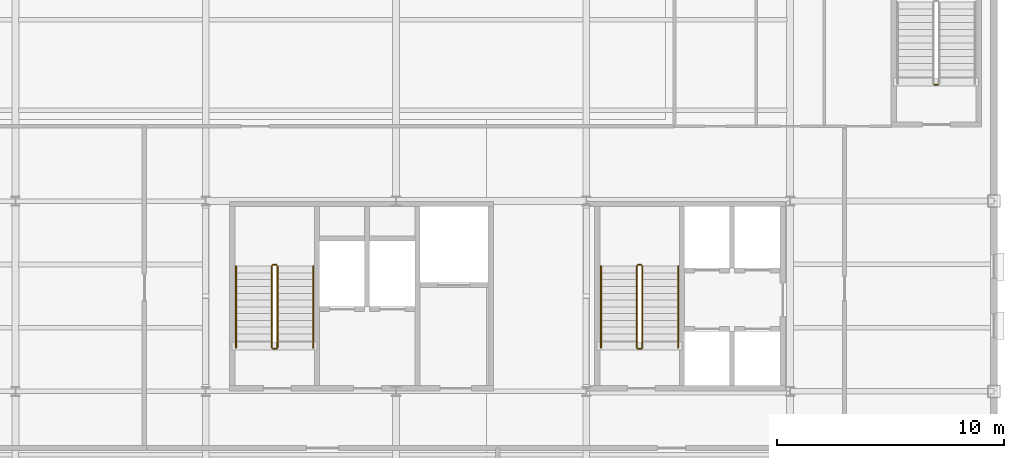
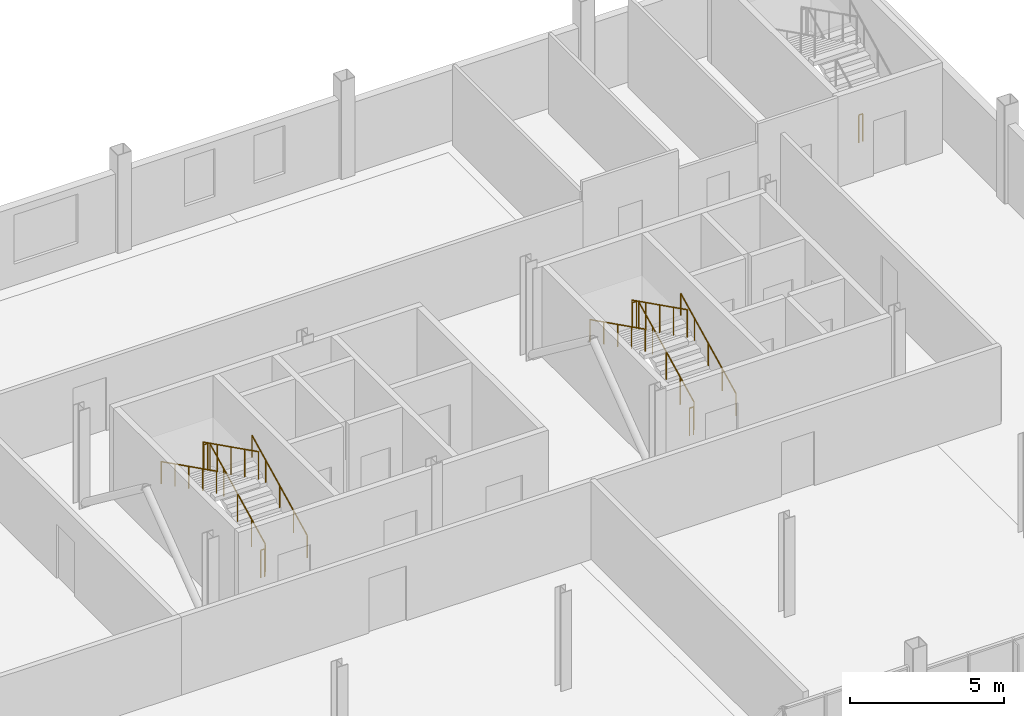
# One storey, part 15 of 17: 13 railings.
"""IFC4 building model written with IfcOpenShell, lengths in metres."""

from ifc_helpers import new_model, si_unit, direction, frame, origin, origin_2d, place, context, subcontext, project, spatial, circle, extrude, material, layer, layer_set, type_object, element, save


model = new_model("IFC4")

# Units and contexts
model_context = context("Model", 3, precision=1e-05, world=origin(), true_north=direction((0.0, 1.0)))
body_context = subcontext(model_context, "Body", "Model", "MODEL_VIEW")
ifc_project = project(units=[si_unit("LENGTHUNIT", "METRE"), si_unit("AREAUNIT", "SQUARE_METRE"), si_unit("VOLUMEUNIT", "CUBIC_METRE"), si_unit("PLANEANGLEUNIT", "RADIAN"), si_unit("MASSUNIT", "GRAM", prefix="KILO")], contexts=[model_context])

# Site, building, storey
site_placement = place(None, origin())
site = spatial("IfcSite", under=ifc_project, at=site_placement, CompositionType="ELEMENT")
building_placement = place(site_placement, origin())
building = spatial("IfcBuilding", under=site, at=building_placement, Name="Yukiwa Park Conservatory and Herbarium", CompositionType="ELEMENT")
storey_placement = place(building_placement, frame((0.0, 0.0, 17.10009765625)))
storey = spatial("IfcBuildingStorey", under=building, at=storey_placement, Name="L04", CompositionType="ELEMENT", Elevation=17.10009765625)

# Railings
ifc_material_1 = material(Name="Steel Q235B", Category="steel")
ifc_layer_1 = layer(ifc_material_1, 0.050048828125)
ifc_layer_set_1 = layer_set([ifc_layer_1], Name="Steel Q235B")
railing_type_1 = type_object("IfcRailingType", Name="RL-STAIR-GUARD-1120", PredefinedType="BALUSTRADE", material=ifc_layer_set_1)
railing_1_placement = place(storey_placement, frame((136.3701171875, 96.72998046875, 0.14990234375)))
element("IfcRailing", 1, at=railing_1_placement, inside=storey, type_object=railing_type_1, Name="L04 ST-T1 stair guard 1", PredefinedType="BALUSTRADE", context=body_context, shape_type="SweptSolid", body=[
    extrude(circle(Radius=0.02392578125, at=origin_2d()), frame((0.0, 0.0, 1.09619140625), z_axis=(0.0, 0.894427191, 0.4472135955), x_axis=(-1.0, 0.0, 0.0)), (0.0, 0.0, 1.0), 4.025146484375),
    extrude(circle(Radius=0.02099609375, at=origin_2d()), origin(), (0.0, 0.0, 1.0), 1.072021484375),
    extrude(circle(Radius=0.02099609375, at=origin_2d()), frame((0.0, 0.89990234375, 0.449951171875)), (0.0, 0.0, 1.0), 1.072021484375),
    extrude(circle(Radius=0.02099609375, at=origin_2d()), frame((0.0, 1.800048828125, 0.89990234375)), (0.0, 0.0, 1.0), 1.072021484375),
    extrude(circle(Radius=0.02099609375, at=origin_2d()), frame((0.0, 2.7001953125, 1.35009765625)), (0.0, 0.0, 1.0), 1.072021484375),
    extrude(circle(Radius=0.02099609375, at=origin_2d()), frame((0.0, 3.60009765625, 1.800048828125)), (0.0, 0.0, 1.0), 1.072021484375),
])
railing_2_placement = place(storey_placement, frame((136.320068359375, 100.3798828125, 1.949951171875)))
element("IfcRailing", 2, at=railing_2_placement, inside=storey, type_object=railing_type_1, Name="L04 ST-T1 stair guard 2", PredefinedType="BALUSTRADE", context=body_context, shape_type="SweptSolid", body=[
    extrude(circle(Radius=0.02392578125, at=origin_2d()), frame((0.0, 0.0, 1.09619140625), z_axis=(-1.0, 0.0, 0.0), x_axis=(0.0, -1.0, 0.0)), (0.0, 0.0, 1.0), 0.150146484375),
    extrude(circle(Radius=0.02099609375, at=origin_2d()), origin(), (0.0, 0.0, 1.0), 1.072021484375),
    extrude(circle(Radius=0.02099609375, at=origin_2d()), frame((-0.150146484375, 0.0, 0.0)), (0.0, 0.0, 1.0), 1.072021484375),
])
railing_3_placement = place(storey_placement, frame((136.1201171875, 100.330078125, 2.099853515625)))
element("IfcRailing", 3, at=railing_3_placement, inside=storey, type_object=railing_type_1, Name="L04 ST-T1 stair guard 3", PredefinedType="BALUSTRADE", context=body_context, shape_type="SweptSolid", body=[
    extrude(circle(Radius=0.02392578125, at=origin_2d()), frame((0.0, 0.0, 1.09619140625), z_axis=(0.0, -0.894427191, 0.4472135955), x_axis=(1.0, 0.0, 0.0)), (0.0, 0.0, 1.0), 4.025146484375),
    extrude(circle(Radius=0.02099609375, at=origin_2d()), origin(), (0.0, 0.0, 1.0), 1.072021484375),
    extrude(circle(Radius=0.02099609375, at=origin_2d()), frame((0.0, -0.89990234375, 0.449951171875)), (0.0, 0.0, 1.0), 1.072021484375),
    extrude(circle(Radius=0.02099609375, at=origin_2d()), frame((0.0, -1.800048828125, 0.89990234375)), (0.0, 0.0, 1.0), 1.072021484375),
    extrude(circle(Radius=0.02099609375, at=origin_2d()), frame((0.0, -2.7001953125, 1.35009765625)), (0.0, 0.0, 1.0), 1.072021484375),
    extrude(circle(Radius=0.02099609375, at=origin_2d()), frame((0.0, -3.60009765625, 1.800048828125)), (0.0, 0.0, 1.0), 1.072021484375),
])
railing_4_placement = place(storey_placement, frame((136.320068359375, 96.679931640625, 0.0)))
element("IfcRailing", 4, at=railing_4_placement, inside=storey, type_object=railing_type_1, Name="L04 ST-T1 stair guard 4", PredefinedType="BALUSTRADE", context=body_context, shape_type="SweptSolid", body=[
    extrude(circle(Radius=0.02392578125, at=origin_2d()), frame((0.0, 0.0, 1.09619140625), z_axis=(-1.0, 0.0, 0.0), x_axis=(0.0, -1.0, 0.0)), (0.0, 0.0, 1.0), 0.150146484375),
    extrude(circle(Radius=0.02099609375, at=origin_2d()), origin(), (0.0, 0.0, 1.0), 1.072021484375),
    extrude(circle(Radius=0.02099609375, at=origin_2d()), frame((-0.150146484375, 0.0, 0.0)), (0.0, 0.0, 1.0), 1.072021484375),
])
railing_5_placement = place(storey_placement, frame((152.47998046875, 96.72998046875, 0.14990234375)))
element("IfcRailing", 5, at=railing_5_placement, inside=storey, type_object=railing_type_1, Name="L04 ST-T2 stair guard 1", PredefinedType="BALUSTRADE", context=body_context, shape_type="SweptSolid", body=[
    extrude(circle(Radius=0.02392578125, at=origin_2d()), frame((0.0, 0.0, 1.09619140625), z_axis=(0.0, 0.894427191, 0.4472135955), x_axis=(-1.0, 0.0, 0.0)), (0.0, 0.0, 1.0), 4.025146484375),
    extrude(circle(Radius=0.02099609375, at=origin_2d()), origin(), (0.0, 0.0, 1.0), 1.072021484375),
    extrude(circle(Radius=0.02099609375, at=origin_2d()), frame((0.0, 0.89990234375, 0.449951171875)), (0.0, 0.0, 1.0), 1.072021484375),
    extrude(circle(Radius=0.02099609375, at=origin_2d()), frame((0.0, 1.800048828125, 0.89990234375)), (0.0, 0.0, 1.0), 1.072021484375),
    extrude(circle(Radius=0.02099609375, at=origin_2d()), frame((0.0, 2.7001953125, 1.35009765625)), (0.0, 0.0, 1.0), 1.072021484375),
    extrude(circle(Radius=0.02099609375, at=origin_2d()), frame((0.0, 3.60009765625, 1.800048828125)), (0.0, 0.0, 1.0), 1.072021484375),
])
railing_6_placement = place(storey_placement, frame((152.429931640625, 100.3798828125, 1.949951171875)))
element("IfcRailing", 6, at=railing_6_placement, inside=storey, type_object=railing_type_1, Name="L04 ST-T2 stair guard 2", PredefinedType="BALUSTRADE", context=body_context, shape_type="SweptSolid", body=[
    extrude(circle(Radius=0.02392578125, at=origin_2d()), frame((0.0, 0.0, 1.09619140625), z_axis=(-1.0, 0.0, 0.0), x_axis=(0.0, -1.0, 0.0)), (0.0, 0.0, 1.0), 0.14990234375),
    extrude(circle(Radius=0.02099609375, at=origin_2d()), origin(), (0.0, 0.0, 1.0), 1.072021484375),
    extrude(circle(Radius=0.02099609375, at=origin_2d()), frame((-0.14990234375, 0.0, 0.0)), (0.0, 0.0, 1.0), 1.072021484375),
])
railing_7_placement = place(storey_placement, frame((152.22998046875, 100.330078125, 2.099853515625)))
element("IfcRailing", 7, at=railing_7_placement, inside=storey, type_object=railing_type_1, Name="L04 ST-T2 stair guard 3", PredefinedType="BALUSTRADE", context=body_context, shape_type="SweptSolid", body=[
    extrude(circle(Radius=0.02392578125, at=origin_2d()), frame((0.0, 0.0, 1.09619140625), z_axis=(0.0, -0.894427191, 0.4472135955), x_axis=(1.0, 0.0, 0.0)), (0.0, 0.0, 1.0), 4.025146484375),
    extrude(circle(Radius=0.02099609375, at=origin_2d()), origin(), (0.0, 0.0, 1.0), 1.072021484375),
    extrude(circle(Radius=0.02099609375, at=origin_2d()), frame((0.0, -0.89990234375, 0.449951171875)), (0.0, 0.0, 1.0), 1.072021484375),
    extrude(circle(Radius=0.02099609375, at=origin_2d()), frame((0.0, -1.800048828125, 0.89990234375)), (0.0, 0.0, 1.0), 1.072021484375),
    extrude(circle(Radius=0.02099609375, at=origin_2d()), frame((0.0, -2.7001953125, 1.35009765625)), (0.0, 0.0, 1.0), 1.072021484375),
    extrude(circle(Radius=0.02099609375, at=origin_2d()), frame((0.0, -3.60009765625, 1.800048828125)), (0.0, 0.0, 1.0), 1.072021484375),
])
for number, where, name in (
    (8, (152.429931640625, 96.679931640625, 0.0), "L04 ST-T2 stair guard 4"),
    (9, (165.52001953125, 108.330078125, 0.0), "L04 ST-T3 stair guard 4"),
):
    element("IfcRailing", number, at=place(storey_placement, frame(where)), inside=storey, type_object=railing_type_1, Name=name, PredefinedType="BALUSTRADE", context=body_context, shape_type="SweptSolid", body=[
        extrude(circle(Radius=0.02392578125, at=origin_2d()), frame((0.0, 0.0, 1.09619140625), z_axis=(-1.0, 0.0, 0.0), x_axis=(0.0, -1.0, 0.0)), (0.0, 0.0, 1.0), 0.14990234375),
        extrude(circle(Radius=0.02099609375, at=origin_2d()), origin(), (0.0, 0.0, 1.0), 1.072021484375),
        extrude(circle(Radius=0.02099609375, at=origin_2d()), frame((-0.14990234375, 0.0, 0.0)), (0.0, 0.0, 1.0), 1.072021484375),
    ])
ifc_material_2 = material(Name="Steel Q235B", Category="steel")
ifc_layer_2 = layer(ifc_material_2, 0.044921875)
ifc_layer_set_2 = layer_set([ifc_layer_2], Name="Steel Q235B")
railing_type_2 = type_object("IfcRailingType", Name="RL-STAIR-RAIL-900", PredefinedType="HANDRAIL", material=ifc_layer_set_2)
railing_8_placement = place(storey_placement, frame((137.949951171875, 96.72998046875, 0.14990234375)))
element("IfcRailing", 10, at=railing_8_placement, inside=storey, type_object=railing_type_2, Name="L04 ST-T1 stair handrail 1", PredefinedType="HANDRAIL", context=body_context, shape_type="SweptSolid", body=[
    extrude(circle(Radius=0.02392578125, at=origin_2d()), frame((0.0, 0.0, 0.8759765625), z_axis=(0.0, 0.894427191, 0.4472135955), x_axis=(-1.0, 0.0, 0.0)), (0.0, 0.0, 1.0), 4.025146484375),
    extrude(circle(Radius=0.02099609375, at=origin_2d()), origin(), (0.0, 0.0, 1.0), 0.851806640625),
    extrude(circle(Radius=0.02099609375, at=origin_2d()), frame((0.0, 0.89990234375, 0.449951171875)), (0.0, 0.0, 1.0), 0.851806640625),
    extrude(circle(Radius=0.02099609375, at=origin_2d()), frame((0.0, 1.800048828125, 0.89990234375)), (0.0, 0.0, 1.0), 0.851806640625),
    extrude(circle(Radius=0.02099609375, at=origin_2d()), frame((0.0, 2.7001953125, 1.35009765625)), (0.0, 0.0, 1.0), 0.851806640625),
    extrude(circle(Radius=0.02099609375, at=origin_2d()), frame((0.0, 3.60009765625, 1.800048828125)), (0.0, 0.0, 1.0), 0.851806640625),
])
railing_9_placement = place(storey_placement, frame((134.5400390625, 100.330078125, 2.099853515625)))
element("IfcRailing", 11, at=railing_9_placement, inside=storey, type_object=railing_type_2, Name="L04 ST-T1 stair handrail 2", PredefinedType="HANDRAIL", context=body_context, shape_type="SweptSolid", body=[
    extrude(circle(Radius=0.02392578125, at=origin_2d()), frame((0.0, 0.0, 0.8759765625), z_axis=(0.0, -0.894427191, 0.4472135955), x_axis=(1.0, 0.0, 0.0)), (0.0, 0.0, 1.0), 4.025146484375),
    extrude(circle(Radius=0.02099609375, at=origin_2d()), origin(), (0.0, 0.0, 1.0), 0.851806640625),
    extrude(circle(Radius=0.02099609375, at=origin_2d()), frame((0.0, -0.89990234375, 0.449951171875)), (0.0, 0.0, 1.0), 0.851806640625),
    extrude(circle(Radius=0.02099609375, at=origin_2d()), frame((0.0, -1.800048828125, 0.89990234375)), (0.0, 0.0, 1.0), 0.851806640625),
    extrude(circle(Radius=0.02099609375, at=origin_2d()), frame((0.0, -2.7001953125, 1.35009765625)), (0.0, 0.0, 1.0), 0.851806640625),
    extrude(circle(Radius=0.02099609375, at=origin_2d()), frame((0.0, -3.60009765625, 1.800048828125)), (0.0, 0.0, 1.0), 0.851806640625),
])
railing_10_placement = place(storey_placement, frame((154.06005859375, 96.72998046875, 0.14990234375)))
element("IfcRailing", 12, at=railing_10_placement, inside=storey, type_object=railing_type_2, Name="L04 ST-T2 stair handrail 1", PredefinedType="HANDRAIL", context=body_context, shape_type="SweptSolid", body=[
    extrude(circle(Radius=0.02392578125, at=origin_2d()), frame((0.0, 0.0, 0.8759765625), z_axis=(0.0, 0.894427191, 0.4472135955), x_axis=(-1.0, 0.0, 0.0)), (0.0, 0.0, 1.0), 4.025146484375),
    extrude(circle(Radius=0.02099609375, at=origin_2d()), origin(), (0.0, 0.0, 1.0), 0.851806640625),
    extrude(circle(Radius=0.02099609375, at=origin_2d()), frame((0.0, 0.89990234375, 0.449951171875)), (0.0, 0.0, 1.0), 0.851806640625),
    extrude(circle(Radius=0.02099609375, at=origin_2d()), frame((0.0, 1.800048828125, 0.89990234375)), (0.0, 0.0, 1.0), 0.851806640625),
    extrude(circle(Radius=0.02099609375, at=origin_2d()), frame((0.0, 2.7001953125, 1.35009765625)), (0.0, 0.0, 1.0), 0.851806640625),
    extrude(circle(Radius=0.02099609375, at=origin_2d()), frame((0.0, 3.60009765625, 1.800048828125)), (0.0, 0.0, 1.0), 0.851806640625),
])
railing_11_placement = place(storey_placement, frame((150.64990234375, 100.330078125, 2.099853515625)))
element("IfcRailing", 13, at=railing_11_placement, inside=storey, type_object=railing_type_2, Name="L04 ST-T2 stair handrail 2", PredefinedType="HANDRAIL", context=body_context, shape_type="SweptSolid", body=[
    extrude(circle(Radius=0.02392578125, at=origin_2d()), frame((0.0, 0.0, 0.8759765625), z_axis=(0.0, -0.894427191, 0.4472135955), x_axis=(1.0, 0.0, 0.0)), (0.0, 0.0, 1.0), 4.025146484375),
    extrude(circle(Radius=0.02099609375, at=origin_2d()), origin(), (0.0, 0.0, 1.0), 0.851806640625),
    extrude(circle(Radius=0.02099609375, at=origin_2d()), frame((0.0, -0.89990234375, 0.449951171875)), (0.0, 0.0, 1.0), 0.851806640625),
    extrude(circle(Radius=0.02099609375, at=origin_2d()), frame((0.0, -1.800048828125, 0.89990234375)), (0.0, 0.0, 1.0), 0.851806640625),
    extrude(circle(Radius=0.02099609375, at=origin_2d()), frame((0.0, -2.7001953125, 1.35009765625)), (0.0, 0.0, 1.0), 0.851806640625),
    extrude(circle(Radius=0.02099609375, at=origin_2d()), frame((0.0, -3.60009765625, 1.800048828125)), (0.0, 0.0, 1.0), 0.851806640625),
])

save(model, "model.ifc")
